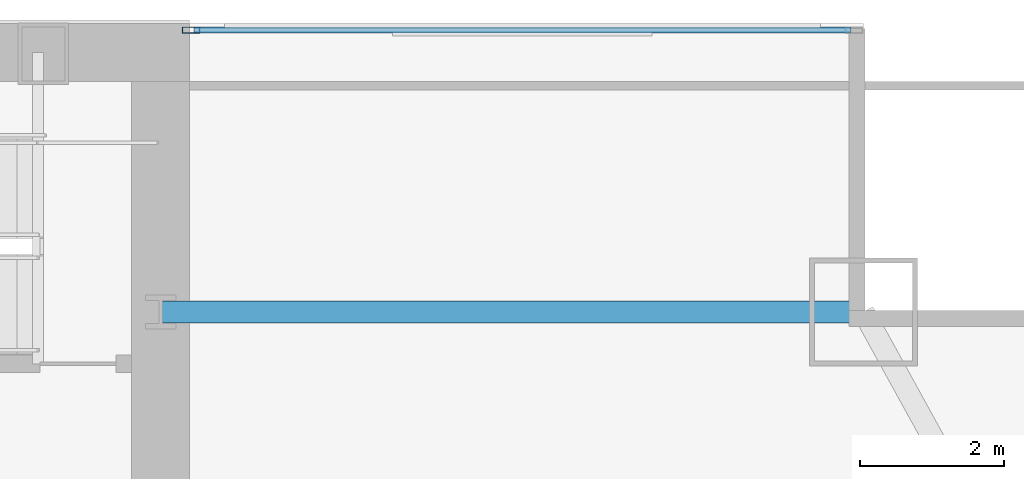
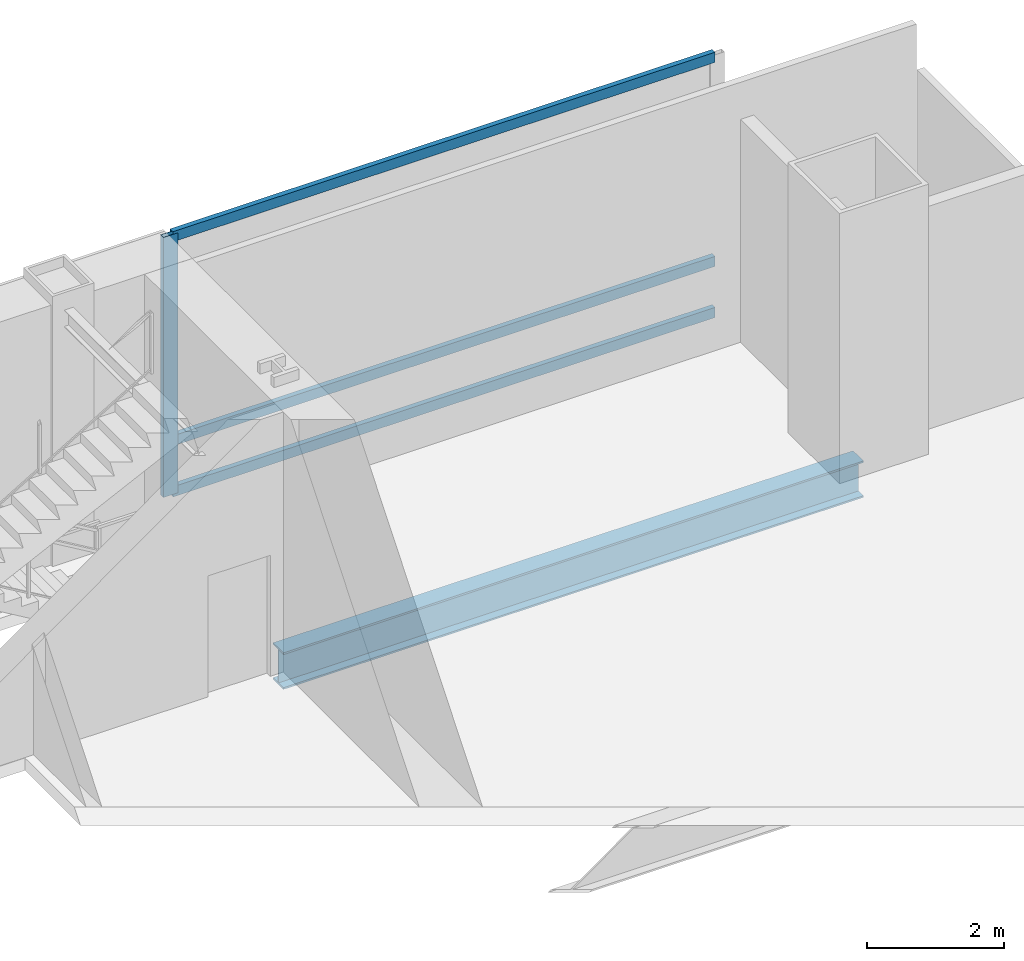
# One storey, part 20 of 32: 4 members, 1 beam, 1 element without a shape of its own.
"""IFC4 building model written with IfcOpenShell, lengths in metres."""

from ifc_helpers import new_model, si_unit, direction, frame, origin, origin_2d, place, context, subcontext, project, spatial, hollow_rectangle, i_section, extrude, material, material_profile, profile_set, type_object, element, aggregate, save


model = new_model("IFC4")

# Units and contexts
model_context = context("Model", 3, precision=1e-05, world=origin(), true_north=direction((0.0, 1.0)))
body_context = subcontext(model_context, "Body", "Model", "MODEL_VIEW")
ifc_project = project(units=[si_unit("LENGTHUNIT", "METRE"), si_unit("AREAUNIT", "SQUARE_METRE"), si_unit("VOLUMEUNIT", "CUBIC_METRE"), si_unit("PLANEANGLEUNIT", "RADIAN"), si_unit("MASSUNIT", "GRAM", prefix="KILO")], contexts=[model_context])

# Site, building, storey
site_placement = place(None, origin())
site = spatial("IfcSite", under=ifc_project, at=site_placement, CompositionType="ELEMENT")
building_placement = place(site_placement, origin())
building = spatial("IfcBuilding", under=site, at=building_placement, Name="Khoronbel Lancet Exchange", CompositionType="ELEMENT")
storey_placement = place(building_placement, frame((0.0, 0.0, 85.800048828125)))
storey = spatial("IfcBuildingStorey", under=building, at=storey_placement, Name="L20", CompositionType="ELEMENT", Elevation=85.800048828125)

# Beam
ifc_material_1 = material(Name="Steel S355", Category="steel")
ifc_material_profile_1 = material_profile(ifc_material_1, i_section(OverallWidth=0.300048828125, OverallDepth=0.64990234375, WebThickness=0.01611328125, FlangeThickness=0.031005859375, at=origin_2d()), Name="HEB 650")
ifc_profile_set_1 = profile_set([ifc_material_profile_1], Name="Steel S355")
beam_type = type_object("IfcBeamType", Name="BM-BSP1", PredefinedType="SPANDREL", material=ifc_profile_set_1)
beam_placement = place(storey_placement, frame((66.050048828125, 49.699951171875, -0.545166015625), z_axis=(-1.0, 0.0, 0.0), x_axis=(0.0, -1.0, 0.0)))
element("IfcBeam", 1, at=beam_placement, inside=storey, type_object=beam_type, Name="Level L20 north flank tie spandrel SP23", PredefinedType="SPANDREL", context=body_context, shape_type="SweptSolid", body=[
    extrude(i_section(OverallWidth=0.300048828125, OverallDepth=0.64990234375, WebThickness=0.01611328125, FlangeThickness=0.031005859375, at=origin_2d()), origin(), (0.0, 0.0, 1.0), 9.75),
])

# Curtain wall, members
ifc_material_2 = material(Name="Low-E Solar Control Insulating Glass", Category="glass")
curtain_wall_type = type_object("IfcCurtainWallType", Name="CW-2", PredefinedType="NOTDEFINED", material=ifc_material_2)
curtain_wall_placement = place(storey_placement, origin())
curtain_wall = element("IfcCurtainWall", 2, at=curtain_wall_placement, inside=storey, type_object=curtain_wall_type, Name="Unitised curtain wall CW-L20-NEFLK", PredefinedType="NOTDEFINED")
ifc_material_3 = material(Name="Bronze-Anodised Aluminium 6063-T6", Category="aluminium")
ifc_material_profile_2 = material_profile(ifc_material_3, hollow_rectangle(XDim=0.0849609375, YDim=0.239990234375, WallThickness=0.006103515625, at=origin_2d()), Name="ALU MULLION 85x240")
ifc_profile_set_2 = profile_set([ifc_material_profile_2], Name="Bronze-Anodised Aluminium 6063-T6")
member_type_1 = type_object("IfcMemberType", Name="MEM-CWM1", PredefinedType="MULLION", material=ifc_profile_set_2)
member_1_placement = place(storey_placement, frame((56.722412109375, 53.610107421875, 0.0), z_axis=(0.0, 0.0, 1.0), x_axis=(0.0, -1.0, 0.0)))
member_1 = element("IfcMember", 3, at=member_1_placement, type_object=member_type_1, Name="CW2 mullion 2", PredefinedType="MULLION", context=body_context, shape_type="SweptSolid", body=[
    extrude(hollow_rectangle(XDim=0.0849609375, YDim=0.239990234375, WallThickness=0.006103515625, at=origin_2d()), origin(), (0.0, 0.0, 1.0), 4.619873046875),
])
ifc_material_profile_3 = material_profile(ifc_material_3, hollow_rectangle(XDim=0.0849609375, YDim=0.179931640625, WallThickness=0.0048828125, at=origin_2d()), Name="ALU TRANSOM 85x180")
ifc_profile_set_3 = profile_set([ifc_material_profile_3], Name="Bronze-Anodised Aluminium 6063-T6")
member_type_2 = type_object("IfcMemberType", Name="MEM-CWT1", PredefinedType="USERDEFINED", material=ifc_profile_set_3)
member_2_placement = place(storey_placement, frame((65.875, 53.610107421875, 0.04248046875), z_axis=(-1.0, 0.0, 0.0), x_axis=(0.0, -1.0, 0.0)))
member_2 = element("IfcMember", 4, at=member_2_placement, type_object=member_type_2, Name="CW2 transom 1.1", ObjectType="TRANSOM", PredefinedType="USERDEFINED", context=body_context, shape_type="SweptSolid", body=[
    extrude(hollow_rectangle(XDim=0.0849609375, YDim=0.179931640625, WallThickness=0.0048828125, at=origin_2d()), origin(), (0.0, 0.0, 1.0), 9.110107421875),
])
member_3_placement = place(storey_placement, frame((65.875, 53.610107421875, 0.949951171875), z_axis=(-1.0, 0.0, 0.0), x_axis=(0.0, -1.0, 0.0)))
member_3 = element("IfcMember", 5, at=member_3_placement, type_object=member_type_2, Name="CW2 transom 1.2", ObjectType="TRANSOM", PredefinedType="USERDEFINED", context=body_context, shape_type="SweptSolid", body=[
    extrude(hollow_rectangle(XDim=0.0849609375, YDim=0.179931640625, WallThickness=0.0048828125, at=origin_2d()), origin(), (0.0, 0.0, 1.0), 9.110107421875),
])
member_4_placement = place(storey_placement, frame((65.875, 53.610107421875, 4.577392578125), z_axis=(-1.0, 0.0, 0.0), x_axis=(0.0, -1.0, 0.0)))
member_4 = element("IfcMember", 6, at=member_4_placement, type_object=member_type_2, Name="CW2 transom 1.3", ObjectType="TRANSOM", PredefinedType="USERDEFINED", context=body_context, shape_type="SweptSolid", body=[
    extrude(hollow_rectangle(XDim=0.0849609375, YDim=0.179931640625, WallThickness=0.0048828125, at=origin_2d()), origin(), (0.0, 0.0, 1.0), 9.110107421875),
])
aggregate(curtain_wall, [member_1, member_2, member_3, member_4])

save(model, "model.ifc")
